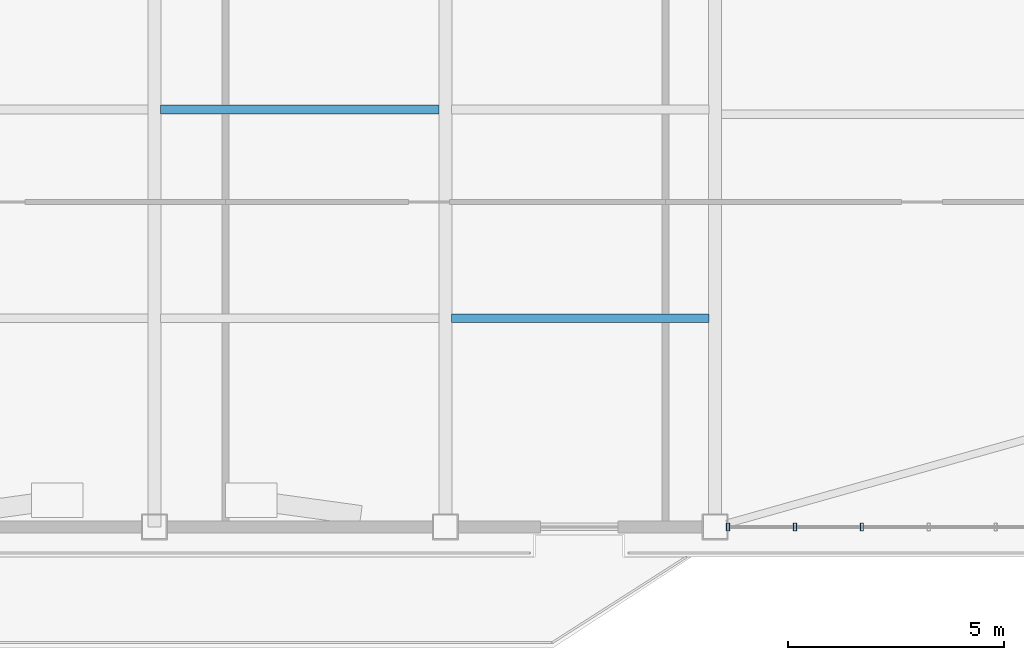
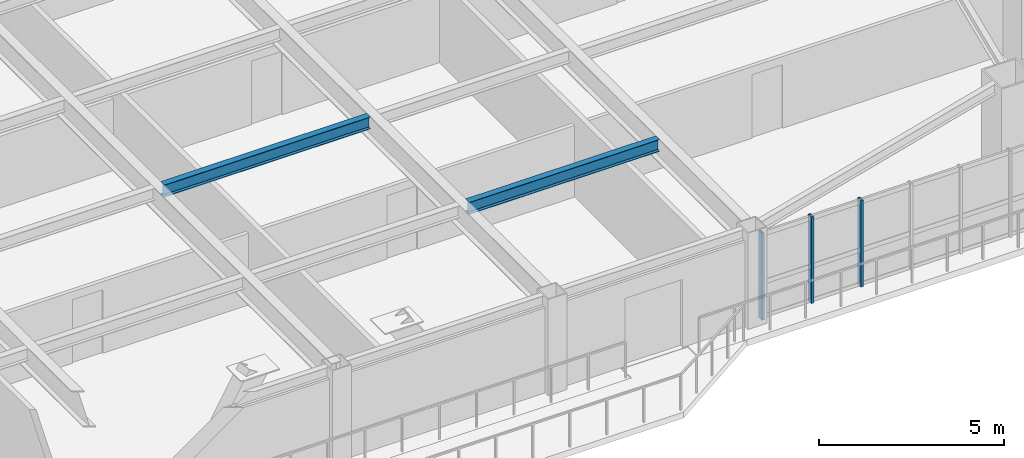
# One storey, part 4 of 16: 3 members, 2 beams, 1 element without a shape of its own.
"""IFC4 building model written with IfcOpenShell, lengths in metres."""

import ifcopenshell
import ifcopenshell.guid

model = None  # the IFC model being written
_history = None  # IfcOwnerHistory: only IFC2X3 demands one
_inside = {}  # id of a spatial element -> (the spatial element, [elements in it])
_under = {}  # id of a project, library or spatial element -> (it, [spatial elements below it])
_declared = {}  # id of a project -> (the project, [libraries it declares])
_typed = {}  # id of a type object -> (the type object, [elements of that type])
_made_of = {}  # id of a material, layer set ... -> (it, [elements and type objects made of it])


def new_model(schema):
    """Start an empty IFC model of exactly this schema.

    Asked for "IFC4X3", IfcOpenShell would pick the latest addendum, in which some entities
    have other attributes; the version numbers below select the first issue.
    IFC2X3 requires an IfcOwnerHistory on every rooted entity: one is made here for all.
    """
    global model, _history
    if schema == "IFC4X3":
        model = ifcopenshell.file(schema_version=(4, 3, 0, 0))
    else:
        model = ifcopenshell.file(schema=schema)
    _inside.clear()
    _under.clear()
    _declared.clear()
    _typed.clear()
    _made_of.clear()
    _history = None
    if model.schema == "IFC2X3":
        org = make("IfcOrganization", Name="unknown")
        user = make(
            "IfcPersonAndOrganization",
            ThePerson=make("IfcPerson", FamilyName="unknown"),
            TheOrganization=org,
        )
        app = make(
            "IfcApplication",
            ApplicationDeveloper=org,
            Version="unknown",
            ApplicationFullName="unknown",
            ApplicationIdentifier="unknown",
        )
        _history = make(
            "IfcOwnerHistory",
            OwningUser=user,
            OwningApplication=app,
            ChangeAction="ADDED",
            CreationDate=0,
        )
    return model


def make(cls, **values):
    """One entity of the class cls with the attributes given. An attribute that is None is left unset."""
    return model.create_entity(
        cls, **{name: value for name, value in values.items() if value is not None}
    )


def rooted(cls, **values):
    """An entity with a GlobalId (a new one), such as an element, a storey or a relation."""
    return make(cls, GlobalId=ifcopenshell.guid.new(), OwnerHistory=_history, **values)


def si_unit(unit_type, name, prefix=None):
    """IfcSIUnit, for example si_unit("LENGTHUNIT", "METRE", prefix="MILLI")."""
    return make("IfcSIUnit", UnitType=unit_type, Prefix=prefix, Name=name)


def assignment(units):
    """IfcUnitAssignment: the units of a project."""
    return None if units is None else make("IfcUnitAssignment", Units=units)


def point(xyz):
    """IfcCartesianPoint."""
    return None if xyz is None else make("IfcCartesianPoint", Coordinates=xyz)


def direction(xyz):
    """IfcDirection."""
    return None if xyz is None else make("IfcDirection", DirectionRatios=xyz)


def frame(location, z_axis=None, x_axis=None):
    """IfcAxis2Placement3D, a coordinate frame: its origin and axes. An axis left out is left unset."""
    return make(
        "IfcAxis2Placement3D",
        Location=point(location),
        Axis=direction(z_axis),
        RefDirection=direction(x_axis),
    )


def frame_2d(location, x_axis=None):
    """IfcAxis2Placement2D, a coordinate frame in the plane: its origin and x axis."""
    return make(
        "IfcAxis2Placement2D", Location=point(location), RefDirection=direction(x_axis)
    )


def origin():
    """The frame at (0, 0, 0) with its axes left unset."""
    return frame((0.0, 0.0, 0.0))


def origin_2d():
    """The frame at (0, 0) in the plane with its x axis left unset."""
    return frame_2d((0.0, 0.0))


def place(relative_to, where):
    """IfcLocalPlacement: puts the frame where relative to a parent placement (None: the world)."""
    return make(
        "IfcLocalPlacement", PlacementRelTo=relative_to, RelativePlacement=where
    )


def context(
    kind, dimensions, precision=None, world=None, true_north=None, identifier=None
):
    """IfcGeometricRepresentationContext, for example the 3D "Model" context."""
    return make(
        "IfcGeometricRepresentationContext",
        ContextIdentifier=identifier,
        ContextType=kind,
        CoordinateSpaceDimension=dimensions,
        Precision=precision,
        WorldCoordinateSystem=world,
        TrueNorth=true_north,
    )


def subcontext(parent, identifier, kind, view, scale=None):
    """IfcGeometricRepresentationSubContext, for example "Body" below "Model"."""
    return make(
        "IfcGeometricRepresentationSubContext",
        ContextIdentifier=identifier,
        ContextType=kind,
        ParentContext=parent,
        TargetScale=scale,
        TargetView=view,
    )


def project(units=None, contexts=None):
    """IfcProject with its units and contexts."""
    return rooted(
        "IfcProject",
        Name="project",
        RepresentationContexts=contexts,
        UnitsInContext=assignment(units),
    )


def spatial(cls, under=None, at=None, **own):
    """A site, building, storey or space (cls), placed at a placement, below another one or the project."""
    s = rooted(cls, ObjectPlacement=at, **own)
    if under is not None:
        _under.setdefault(under.id(), (under, []))[1].append(s)
    return s


def profile(cls, at=None, kind="AREA", **sizes):
    """A parametric profile (cls). Its sizes go by their IFC names, for example OverallWidth=200.0."""
    return make(cls, ProfileType=kind, Position=at, **sizes)


def hollow_rectangle(**sizes):
    """IfcRectangleHollowProfileDef."""
    return profile("IfcRectangleHollowProfileDef", **sizes)


def i_section(**sizes):
    """IfcIShapeProfileDef."""
    return profile("IfcIShapeProfileDef", **sizes)


def extrude(swept, where, along, depth):
    """IfcExtrudedAreaSolid: the profile swept, set in the frame where, extruded along a direction by depth."""
    return make(
        "IfcExtrudedAreaSolid",
        SweptArea=swept,
        Position=where,
        ExtrudedDirection=direction(along),
        Depth=depth,
    )


def shape(context_of_items, identifier, shape_type, items):
    """IfcShapeRepresentation: the items that make up one representation, for example the "Body"."""
    return make(
        "IfcShapeRepresentation",
        ContextOfItems=context_of_items,
        RepresentationIdentifier=identifier,
        RepresentationType=shape_type,
        Items=items,
    )


def source(mapping_origin, context_of_items, identifier, shape_type, items):
    """IfcRepresentationMap: a shape defined once, which mapped items show again and again."""
    return make(
        "IfcRepresentationMap",
        MappingOrigin=mapping_origin,
        MappedRepresentation=shape(context_of_items, identifier, shape_type, items),
    )


def transform(
    local_origin,
    x_axis=None,
    y_axis=None,
    z_axis=None,
    scale=None,
    scale2=None,
    scale3=None,
    uniform=True,
):
    """IfcCartesianTransformationOperator3D, or its non-uniform kind. x_axis, y_axis, z_axis: its Axis1, 2, 3."""
    if uniform:
        return make(
            "IfcCartesianTransformationOperator3D",
            Axis1=direction(x_axis),
            Axis2=direction(y_axis),
            LocalOrigin=point(local_origin),
            Scale=scale,
            Axis3=direction(z_axis),
        )
    return make(
        "IfcCartesianTransformationOperator3DnonUniform",
        Axis1=direction(x_axis),
        Axis2=direction(y_axis),
        LocalOrigin=point(local_origin),
        Scale=scale,
        Axis3=direction(z_axis),
        Scale2=scale2,
        Scale3=scale3,
    )


def mapped(mapping_source, mapping_target):
    """IfcMappedItem: shows the shape of a source again, moved by a transform."""
    return make(
        "IfcMappedItem", MappingSource=mapping_source, MappingTarget=mapping_target
    )


def material(Name=None, Category=None):
    """IfcMaterial."""
    return make("IfcMaterial", Name=Name, Category=Category)


def layer(
    of_material, thickness, ventilated=None, Name=None, Category=None, Priority=None
):
    """IfcMaterialLayer: one layer of a wall or slab, of a material (None: an air gap)."""
    return make(
        "IfcMaterialLayer",
        Material=of_material,
        LayerThickness=thickness,
        IsVentilated=ventilated,
        Name=Name,
        Category=Category,
        Priority=Priority,
    )


def layer_set(layers, Name=None):
    """IfcMaterialLayerSet."""
    return make("IfcMaterialLayerSet", MaterialLayers=layers, LayerSetName=Name)


def material_profile(
    of_material, cross_section, Name=None, Category=None, Priority=None
):
    """IfcMaterialProfile: a cross section and its material."""
    return make(
        "IfcMaterialProfile",
        Name=Name,
        Material=of_material,
        Profile=cross_section,
        Priority=Priority,
        Category=Category,
    )


def profile_set(profiles, Name=None, composite=None):
    """IfcMaterialProfileSet."""
    return make(
        "IfcMaterialProfileSet",
        Name=Name,
        MaterialProfiles=profiles,
        CompositeProfile=composite,
    )


def made_of(thing, what):
    """Note that an element or type object is made of a material, layer set ...; save() writes the relation."""
    if what is not None:
        _made_of.setdefault(what.id(), (what, []))[1].append(thing)
    return thing


def type_object(cls, material=None, **own):
    """A type object (cls), such as IfcWallType, which elements share."""
    return made_of(rooted(cls, **own), material)


def element(
    cls,
    number,
    at=None,
    inside=None,
    cuts=None,
    type_object=None,
    material=None,
    context=None,
    identifier="Body",
    shape_type=None,
    held_by="IfcProductDefinitionShape",
    body=None,
    shapes=None,
    **own,
):
    """One element of the class cls, such as IfcWall. Its Tag is "e" and its number.

    at: its placement. inside: the storey or other place that contains it. cuts: it is an
    opening in that element (IfcRelVoidsElement). A single representation is given by context,
    identifier, shape_type and body (its items); several are given by shapes. held_by: the class
    of the entity that holds the representations. save() writes the other relations.
    """
    e = rooted(cls, Tag="e%d" % number, ObjectPlacement=at, **own)
    if body is not None:
        shapes = [shape(context, identifier, shape_type, body)]
    if shapes is not None:
        e.Representation = make(held_by, Representations=shapes)
    if inside is not None:
        _inside.setdefault(inside.id(), (inside, []))[1].append(e)
    if cuts is not None:
        rooted(
            "IfcRelVoidsElement", RelatingBuildingElement=cuts, RelatedOpeningElement=e
        )
    if type_object is not None:
        _typed.setdefault(type_object.id(), (type_object, []))[1].append(e)
    return made_of(e, material)


def aggregate(whole, parts):
    """IfcRelAggregates: a whole, such as a stair, and the parts it consists of."""
    return rooted("IfcRelAggregates", RelatingObject=whole, RelatedObjects=parts)


def save(model, path):
    """Write the relations noted so far, then the file.

    IfcRelAggregates (storeys below a building ...), IfcRelContainedInSpatialStructure (elements
    in a storey), IfcRelDefinesByType, IfcRelAssociatesMaterial and IfcRelDeclares: one each for
    every whole, place, type object, material and project.
    """
    for whole, parts in _under.values():
        aggregate(whole, parts)
    for where, things in _inside.values():
        rooted(
            "IfcRelContainedInSpatialStructure",
            RelatedElements=things,
            RelatingStructure=where,
        )
    for kind, things in _typed.values():
        rooted("IfcRelDefinesByType", RelatedObjects=things, RelatingType=kind)
    for what, things in _made_of.values():
        rooted("IfcRelAssociatesMaterial", RelatedObjects=things, RelatingMaterial=what)
    for by, libraries in _declared.values():
        rooted("IfcRelDeclares", RelatingContext=by, RelatedDefinitions=libraries)
    model.write(path)


model = new_model("IFC4")

# Units and contexts
model_context = context("Model", 3, precision=1e-05, world=origin(), true_north=direction((0.0, 1.0)))
body_context = subcontext(model_context, "Body", "Model", "MODEL_VIEW")
ifc_project = project(units=[si_unit("LENGTHUNIT", "METRE"), si_unit("AREAUNIT", "SQUARE_METRE"), si_unit("VOLUMEUNIT", "CUBIC_METRE"), si_unit("PLANEANGLEUNIT", "RADIAN"), si_unit("MASSUNIT", "GRAM", prefix="KILO")], contexts=[model_context])

# Site, building, storey
site_placement = place(None, origin())
site = spatial("IfcSite", under=ifc_project, at=site_placement, CompositionType="ELEMENT")
building_placement = place(site_placement, origin())
building = spatial("IfcBuilding", under=site, at=building_placement, Name="Giltprow Tower", CompositionType="ELEMENT")
storey_placement = place(building_placement, frame((0.0, 0.0, 230.39990234375)))
storey = spatial("IfcBuildingStorey", under=building, at=storey_placement, Name="L58", CompositionType="ELEMENT", Elevation=230.39990234375)

# Beams
ifc_material_1 = material(Name="Structural steel Q355B", Category="steel")
ifc_material_profile_1 = material_profile(ifc_material_1, i_section(OverallWidth=0.199951171875, OverallDepth=0.39990234375, WebThickness=0.008056640625, FlangeThickness=0.012939453125, at=origin_2d()), Name="HN 400x200x8x13")
ifc_profile_set_1 = profile_set([ifc_material_profile_1], Name="Structural steel Q355B")
beam_type = type_object("IfcBeamType", Name="BM-JOIST-HN400", PredefinedType="JOIST", material=ifc_profile_set_1)
shared_shape_1 = source(origin(), body_context, "Body", "SweptSolid", [
    extrude(i_section(OverallWidth=0.199951171875, OverallDepth=0.39990234375, WebThickness=0.008056640625, FlangeThickness=0.012939453125, at=origin_2d()), origin(), (0.0, 0.0, 1.0), 6.4599609375),
])
beam_1_placement = place(storey_placement, frame((37.695068359375, 22.929931640625, 2.985107421875), z_axis=(1.0, 0.0, 0.0), x_axis=(0.0, 1.0, 0.0)))
element("IfcBeam", 1, at=beam_1_placement, inside=storey, type_object=beam_type, Name="L58 Composite Floor Joist 2-3", PredefinedType="JOIST", context=body_context, shape_type="MappedRepresentation", body=[
    mapped(shared_shape_1, transform((0.0, 0.0, 0.0), x_axis=(1.0, 0.0, 0.0), y_axis=(0.0, 1.0, 0.0), z_axis=(0.0, 0.0, 1.0), scale=1.0)),
])
shared_shape_2 = source(origin(), body_context, "Body", "SweptSolid", [
    extrude(i_section(OverallWidth=0.199951171875, OverallDepth=0.39990234375, WebThickness=0.008056640625, FlangeThickness=0.012939453125, at=origin_2d()), origin(), (0.0, 0.0, 1.0), 5.9599609375),
])
beam_2_placement = place(storey_placement, frame((44.445068359375, 18.090087890625, 2.985107421875), z_axis=(1.0, 0.0, 0.0), x_axis=(0.0, 1.0, 0.0)))
element("IfcBeam", 2, at=beam_2_placement, inside=storey, type_object=beam_type, Name="L58 Composite Floor Joist 1-4", PredefinedType="JOIST", context=body_context, shape_type="MappedRepresentation", body=[
    mapped(shared_shape_2, transform((0.0, 0.0, 0.0), x_axis=(1.0, 0.0, 0.0), y_axis=(0.0, 1.0, 0.0), z_axis=(0.0, 0.0, 1.0), scale=1.0)),
])

# Curtain wall, members
ifc_material_2 = material(Name="Anodized bronze", Category="metal")
ifc_layer = layer(ifc_material_2, 0.179931640625, Name="Anodized bronze")
ifc_layer_set = layer_set([ifc_layer], Name="Anodized bronze")
curtain_wall_type = type_object("IfcCurtainWallType", Name="CW-RES-SKY", PredefinedType="NOTDEFINED", material=ifc_layer_set)
curtain_wall_placement = place(storey_placement, origin())
curtain_wall = element("IfcCurtainWall", 3, at=curtain_wall_placement, inside=storey, type_object=curtain_wall_type, Name="L58 South Recessed Curtain Wall 6", PredefinedType="NOTDEFINED")
ifc_material_profile_2 = material_profile(ifc_material_2, hollow_rectangle(XDim=0.074951171875, YDim=0.179931640625, WallThickness=0.008056640625, at=origin_2d()), Name="RHS 180x75x8")
ifc_profile_set_2 = profile_set([ifc_material_profile_2], Name="Anodized bronze")
member_type = type_object("IfcMemberType", Name="CW-MULLION-180x75", PredefinedType="MULLION", material=ifc_profile_set_2)
shared_shape_3 = source(origin(), body_context, "Body", "SweptSolid", [
    extrude(hollow_rectangle(XDim=0.074951171875, YDim=0.179931640625, WallThickness=0.008056640625, at=origin_2d()), origin(), (0.0, 0.0, 1.0), 2.8701171875),
])
member_1_placement = place(storey_placement, frame((50.85009765625, 13.25, -0.02001953125), z_axis=(0.0, 0.0, 1.0), x_axis=(1.0, 0.0, 0.0)))
member_1 = element("IfcMember", 4, at=member_1_placement, type_object=member_type, Name="L58 South Recessed Curtain Wall 6 Mullion 1", PredefinedType="MULLION", context=body_context, shape_type="MappedRepresentation", body=[
    mapped(shared_shape_3, transform((0.0, 0.0, 0.0), x_axis=(1.0, 0.0, 0.0), y_axis=(0.0, 1.0, 0.0), z_axis=(0.0, 0.0, 1.0), scale=1.0)),
])
member_2_placement = place(storey_placement, frame((52.402099609375, 13.25, -0.02001953125), z_axis=(0.0, 0.0, 1.0), x_axis=(1.0, 0.0, 0.0)))
member_2 = element("IfcMember", 5, at=member_2_placement, type_object=member_type, Name="L58 South Recessed Curtain Wall 6 Mullion 2", PredefinedType="MULLION", context=body_context, shape_type="MappedRepresentation", body=[
    mapped(shared_shape_3, transform((0.0, 0.0, 0.0), x_axis=(1.0, 0.0, 0.0), y_axis=(0.0, 1.0, 0.0), z_axis=(0.0, 0.0, 1.0), scale=1.0)),
])
member_3_placement = place(storey_placement, frame((53.952880859375, 13.25, -0.02001953125), z_axis=(0.0, 0.0, 1.0), x_axis=(1.0, 0.0, 0.0)))
member_3 = element("IfcMember", 6, at=member_3_placement, type_object=member_type, Name="L58 South Recessed Curtain Wall 6 Mullion 3", PredefinedType="MULLION", context=body_context, shape_type="MappedRepresentation", body=[
    mapped(shared_shape_3, transform((0.0, 0.0, 0.0), x_axis=(1.0, 0.0, 0.0), y_axis=(0.0, 1.0, 0.0), z_axis=(0.0, 0.0, 1.0), scale=1.0)),
])
aggregate(curtain_wall, [member_1, member_2, member_3])

save(model, "model.ifc")
